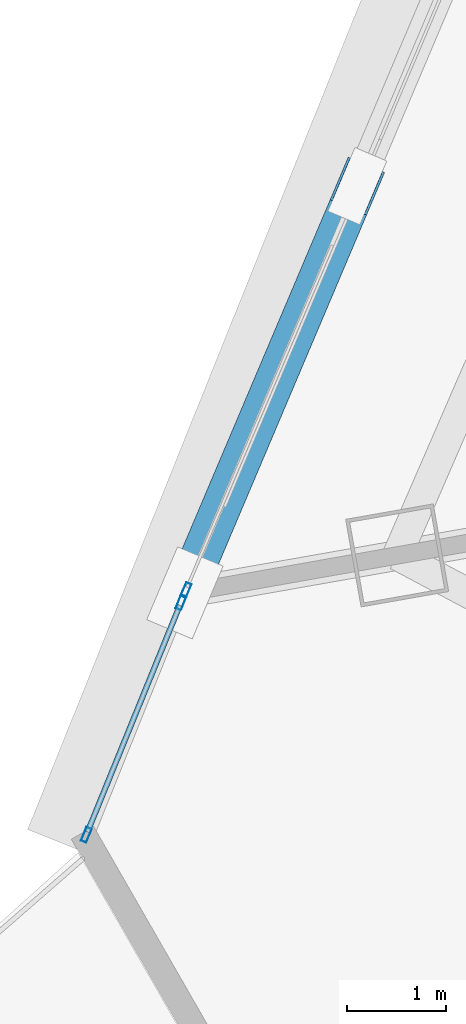
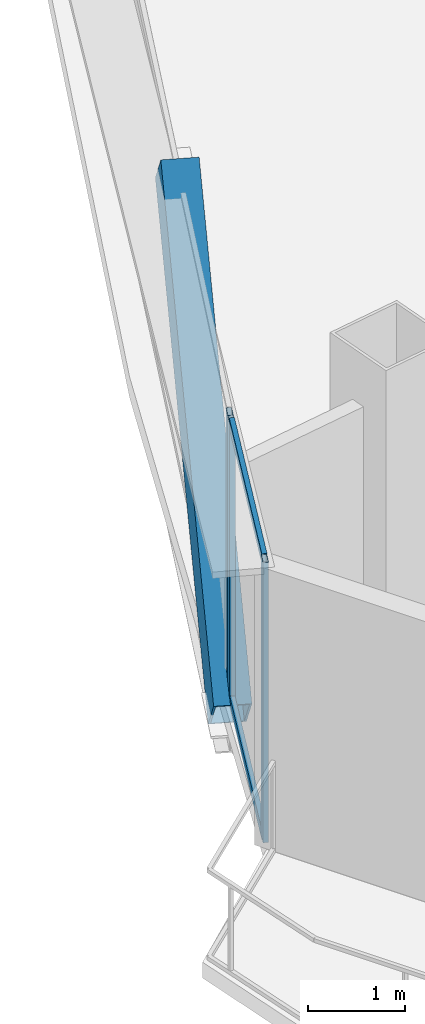
# One storey, part 4 of 37: 6 members, 2 elements without a shape of their own.
"""IFC4 building model written with IfcOpenShell, lengths in metres."""

from ifc_helpers import new_model, si_unit, direction, frame, origin, origin_2d, place, context, subcontext, project, spatial, hollow_rectangle, extrude, source, transform, mapped, material, layer, layer_set, material_profile, profile_set, type_object, element, aggregate, save


model = new_model("IFC4")

# Units and contexts
model_context = context("Model", 3, precision=1e-05, world=origin(), true_north=direction((0.0, 1.0)))
body_context = subcontext(model_context, "Body", "Model", "MODEL_VIEW")
ifc_project = project(units=[si_unit("LENGTHUNIT", "METRE"), si_unit("AREAUNIT", "SQUARE_METRE"), si_unit("VOLUMEUNIT", "CUBIC_METRE"), si_unit("PLANEANGLEUNIT", "RADIAN"), si_unit("MASSUNIT", "GRAM", prefix="KILO"), si_unit("THERMODYNAMICTEMPERATUREUNIT", "KELVIN"), si_unit("POWERUNIT", "WATT")], contexts=[model_context])

# Site, building, storey
site_placement = place(None, origin())
site = spatial("IfcSite", under=ifc_project, at=site_placement, CompositionType="ELEMENT")
building_placement = place(site_placement, origin())
building = spatial("IfcBuilding", under=site, at=building_placement, Name="Yunzhuo Pagoda Commons", CompositionType="ELEMENT")
storey_placement = place(building_placement, frame((0.0, 0.0, 192.360107421875)))
storey = spatial("IfcBuildingStorey", under=building, at=storey_placement, Name="L48", CompositionType="ELEMENT", Elevation=192.360107421875)

# Member
ifc_material_1 = material(Name="Structural steel Q355B", Category="steel")
ifc_material_profile_1 = material_profile(ifc_material_1, hollow_rectangle(XDim=0.39990234375, YDim=0.719970703125, WallThickness=0.02392578125, at=origin_2d()), Name="Structural steel Q355B")
ifc_profile_set_1 = profile_set([ifc_material_profile_1], Name="Structural steel Q355B")
member_type_1 = type_object("IfcMemberType", Name="M-DL2 Brace BOX 720x400x24", PredefinedType="BRACE", material=ifc_profile_set_1)
shared_shape_1 = source(origin(), body_context, "Body", "SweptSolid", [
    extrude(hollow_rectangle(XDim=0.39990234375, YDim=0.719970703125, WallThickness=0.02392578125, at=origin_2d()), origin(), (0.0, 0.0, 1.0), 5.865966796875),
])
member_1_placement = place(storey_placement, frame((10.646484375, 27.113525390625, -0.260009765625), z_axis=(0.297378347719, 0.701388371694, 0.647781190188), x_axis=(-0.920666876171, 0.390349206637, 0.0)))
element("IfcMember", 1, at=member_1_placement, inside=storey, type_object=member_type_1, Name="L48 facade diamond brace F3.3R", PredefinedType="BRACE", context=body_context, shape_type="MappedRepresentation", body=[
    mapped(shared_shape_1, transform((0.0, 0.0, 0.0), scale=1.0)),
])

# Curtain wall, member
ifc_material_2 = material(Name="Anodized aluminium 6063-T6", Category="aluminium")
ifc_layer = layer(ifc_material_2, 0.14990234375)
ifc_layer_set = layer_set([ifc_layer], Name="Anodized aluminium 6063-T6")
curtain_wall_type = type_object("IfcCurtainWallType", Name="CW-MID Mid-Zone Ribbon Curtain Wall", PredefinedType="NOTDEFINED", material=ifc_layer_set)
curtain_wall_1_placement = place(storey_placement, origin())
curtain_wall_1 = element("IfcCurtainWall", 2, at=curtain_wall_1_placement, inside=storey, type_object=curtain_wall_type, Name="L48 curtain wall CW-L48-F3B4", PredefinedType="NOTDEFINED")
ifc_material_profile_2 = material_profile(ifc_material_2, hollow_rectangle(XDim=0.06005859375, YDim=0.14990234375, WallThickness=0.00390625, at=origin_2d()), Name="Anodized aluminium 6063-T6")
ifc_profile_set_2 = profile_set([ifc_material_profile_2], Name="Anodized aluminium 6063-T6")
member_type_2 = type_object("IfcMemberType", Name="CW-MID-M Mullion RHS 150x60x4", PredefinedType="MULLION", material=ifc_profile_set_2)
shared_shape_2 = source(origin(), body_context, "Body", "SweptSolid", [
    extrude(hollow_rectangle(XDim=0.06005859375, YDim=0.14990234375, WallThickness=0.00390625, at=origin_2d()), origin(), (0.0, 0.0, 1.0), 3.539794921875),
])
member_2_placement = place(storey_placement, frame((10.658203125, 27.14111328125, 0.0), z_axis=(0.0, 0.0, 1.0), x_axis=(0.920666607247, -0.390349840912, 0.0)))
member_2 = element("IfcMember", 3, at=member_2_placement, type_object=member_type_2, Name="CW mullion 2", PredefinedType="MULLION", context=body_context, shape_type="MappedRepresentation", body=[
    mapped(shared_shape_2, transform((0.0, 0.0, 0.0), scale=1.0)),
])
aggregate(curtain_wall_1, [member_2])

# Curtain wall, members
curtain_wall_2_placement = place(storey_placement, origin())
curtain_wall_2 = element("IfcCurtainWall", 4, at=curtain_wall_2_placement, inside=storey, type_object=curtain_wall_type, Name="L48 curtain wall CW-L48-F3B5", PredefinedType="NOTDEFINED")
member_3_placement = place(storey_placement, frame((10.60693359375, 27.016357421875, 0.0), z_axis=(0.0, 0.0, 1.0), x_axis=(0.926070937911, -0.377349463967, 0.0)))
member_3 = element("IfcMember", 5, at=member_3_placement, type_object=member_type_2, Name="CW mullion 1", PredefinedType="MULLION", context=body_context, shape_type="MappedRepresentation", body=[
    mapped(shared_shape_2, transform((0.0, 0.0, 0.0), scale=1.0)),
])
member_4_placement = place(storey_placement, frame((9.6494140625, 24.666015625, 0.0), z_axis=(0.0, 0.0, 1.0), x_axis=(0.926070937911, -0.377349463967, 0.0)))
member_4 = element("IfcMember", 6, at=member_4_placement, type_object=member_type_2, Name="CW mullion 2", PredefinedType="MULLION", context=body_context, shape_type="MappedRepresentation", body=[
    mapped(shared_shape_2, transform((0.0, 0.0, 0.0), scale=1.0)),
])
ifc_material_profile_3 = material_profile(ifc_material_2, hollow_rectangle(XDim=0.054931640625, YDim=0.1298828125, WallThickness=0.00341796875, at=origin_2d()), Name="Anodized aluminium 6063-T6")
ifc_profile_set_3 = profile_set([ifc_material_profile_3], Name="Anodized aluminium 6063-T6")
member_type_3 = type_object("IfcMemberType", Name="CW-MID-T Transom RHS 130x55x3.5", PredefinedType="USERDEFINED", material=ifc_profile_set_3)
shared_shape_3 = source(origin(), body_context, "Body", "SweptSolid", [
    extrude(hollow_rectangle(XDim=0.054931640625, YDim=0.1298828125, WallThickness=0.00341796875, at=origin_2d()), origin(), (0.0, 0.0, 1.0), 2.477783203125),
])
member_5_placement = place(storey_placement, frame((10.595703125, 26.988525390625, 0.02734375), z_axis=(-0.377278108242, -0.92610001028, 0.0), x_axis=(0.92610001028, -0.377278108242, 0.0)))
member_5 = element("IfcMember", 7, at=member_5_placement, type_object=member_type_3, Name="CW transom 1.1", ObjectType="TRANSOM", PredefinedType="USERDEFINED", context=body_context, shape_type="MappedRepresentation", body=[
    mapped(shared_shape_3, transform((0.0, 0.0, 0.0), scale=1.0)),
])
member_6_placement = place(storey_placement, frame((10.595703125, 26.988525390625, 3.512451171875), z_axis=(-0.377278108242, -0.92610001028, 0.0), x_axis=(0.92610001028, -0.377278108242, 0.0)))
member_6 = element("IfcMember", 8, at=member_6_placement, type_object=member_type_3, Name="CW transom 1.2", ObjectType="TRANSOM", PredefinedType="USERDEFINED", context=body_context, shape_type="MappedRepresentation", body=[
    mapped(shared_shape_3, transform((0.0, 0.0, 0.0), scale=1.0)),
])
aggregate(curtain_wall_2, [member_3, member_4, member_5, member_6])

save(model, "model.ifc")
